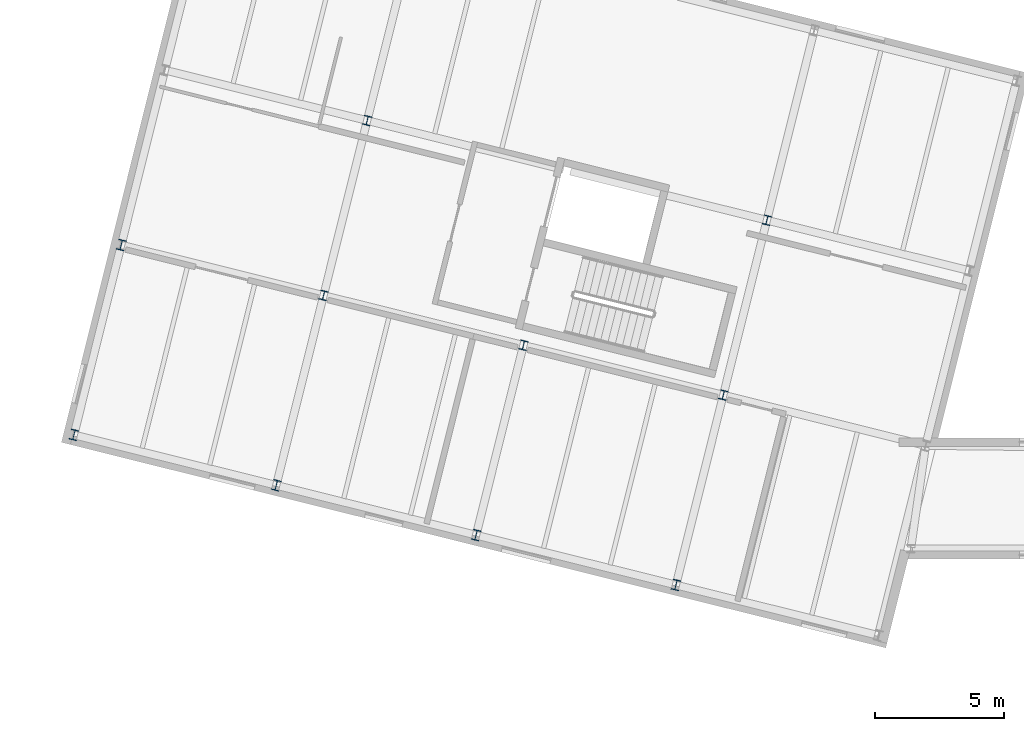
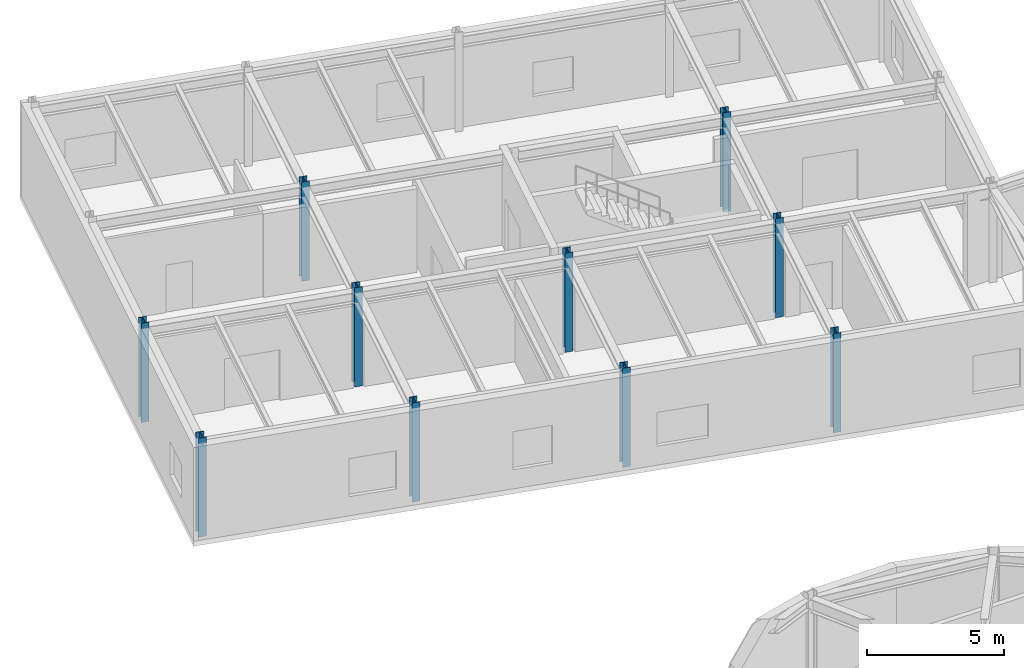
# One storey, part 9 of 103: 10 columns.
"""IFC4 building model written with IfcOpenShell, lengths in metres."""

from ifc_helpers import new_model, si_unit, direction, frame, origin, origin_2d, place, context, subcontext, project, spatial, i_section, extrude, material, material_profile, profile_set, type_object, element, save


model = new_model("IFC4")

# Units and contexts
model_context = context("Model", 3, precision=1e-05, world=origin(), true_north=direction((0.0, 1.0)))
body_context = subcontext(model_context, "Body", "Model", "MODEL_VIEW")
ifc_project = project(units=[si_unit("LENGTHUNIT", "METRE"), si_unit("AREAUNIT", "SQUARE_METRE"), si_unit("VOLUMEUNIT", "CUBIC_METRE"), si_unit("PLANEANGLEUNIT", "RADIAN"), si_unit("MASSUNIT", "GRAM", prefix="KILO")], contexts=[model_context])

# Site, building, storey
site_placement = place(None, origin())
site = spatial("IfcSite", under=ifc_project, at=site_placement, CompositionType="ELEMENT")
building_placement = place(site_placement, origin())
building = spatial("IfcBuilding", under=site, at=building_placement, Name="Varnklinge Art Gallery", CompositionType="ELEMENT")
storey_placement = place(building_placement, frame((0.0, 0.0, 5.10009765625)))
storey = spatial("IfcBuildingStorey", under=building, at=storey_placement, Name="L01", CompositionType="ELEMENT", Elevation=5.10009765625)

# Columns
ifc_material_1 = material(Name="Steel S355", Category="steel")
ifc_material_profile_1 = material_profile(ifc_material_1, i_section(OverallWidth=0.300048828125, OverallDepth=0.360107421875, WebThickness=0.012451171875, FlangeThickness=0.0224609375, FilletRadius=0.027099609375, at=origin_2d()), Name="HEB 360")
ifc_profile_set_1 = profile_set([ifc_material_profile_1], Name="Steel S355")
column_type_1 = type_object("IfcColumnType", Name="COL-08", PredefinedType="COLUMN", material=ifc_profile_set_1)
for number, where, z_axis, x_axis, name in (
    (1, (15.390869140625, 91.039306640625, 0.0), (0.0, 0.0, 1.0), (0.970295726276, -0.2419218956, 0.0), "L01 Column V5C-2-2"),
    (2, (17.08447265625, 97.831298828125, 0.0), (0.0, 0.0, 1.0), (0.970295726276, -0.2419218956, 0.0), "L01 Column V5C-2-3"),
    (3, (23.1533203125, 89.10400390625, 0.0), (0.0, 0.0, 1.0), (0.970295726276, -0.2419218956, 0.0), "L01 Column V5C-3-2"),
    (4, (30.91552734375, 87.168701171875, 0.0), (0.0, 0.0, 1.0), (0.970295726276, -0.2419218956, 0.0), "L01 Column V5C-4-2"),
    (5, (32.609130859375, 93.960693359375, 0.0), (0.0, 0.0, 1.0), (0.970295726276, -0.2419218956, 0.0), "L01 Column V5C-4-3"),
):
    element("IfcColumn", number, at=place(storey_placement, frame(where, z_axis=z_axis, x_axis=x_axis)), inside=storey, type_object=column_type_1, Name=name, PredefinedType="COLUMN", context=body_context, shape_type="SweptSolid", body=[
        extrude(i_section(OverallWidth=0.300048828125, OverallDepth=0.360107421875, WebThickness=0.012451171875, FlangeThickness=0.0224609375, FilletRadius=0.027099609375, at=origin_2d()), origin(), (0.0, 0.0, 1.0), 4.419921875),
    ])
ifc_material_2 = material(Name="Steel S355", Category="steel")
ifc_material_profile_2 = material_profile(ifc_material_2, i_section(OverallWidth=0.300048828125, OverallDepth=0.39990234375, WebThickness=0.013427734375, FlangeThickness=0.02392578125, FilletRadius=0.027099609375, at=origin_2d()), Name="HEB 400")
ifc_profile_set_2 = profile_set([ifc_material_profile_2], Name="Steel S355")
column_type_2 = type_object("IfcColumnType", Name="COL-E3", PredefinedType="COLUMN", material=ifc_profile_set_2)
for number, where, z_axis, x_axis, name in (
    (6, (5.69287109375, 85.624755859375, 0.0), (0.0, 0.0, 1.0), (0.970295726276, -0.2419218956, 0.0), "L01 Column V5C-1-1"),
    (7, (7.531494140625, 92.998779296875, 0.0), (0.0, 0.0, 1.0), (0.970295726276, -0.2419218956, 0.0), "L01 Column V5C-1-2"),
    (8, (13.55224609375, 83.6650390625, 0.0), (0.0, 0.0, 1.0), (0.970295726276, -0.2419218956, 0.0), "L01 Column V5C-2-1"),
    (9, (21.314697265625, 81.729736328125, 0.0), (0.0, 0.0, 1.0), (0.970295726276, -0.2419218956, 0.0), "L01 Column V5C-3-1"),
    (10, (29.076904296875, 79.794189453125, 0.0), (0.0, 0.0, 1.0), (0.970295726276, -0.2419218956, 0.0), "L01 Column V5C-4-1"),
):
    element("IfcColumn", number, at=place(storey_placement, frame(where, z_axis=z_axis, x_axis=x_axis)), inside=storey, type_object=column_type_2, Name=name, PredefinedType="COLUMN", context=body_context, shape_type="SweptSolid", body=[
        extrude(i_section(OverallWidth=0.300048828125, OverallDepth=0.39990234375, WebThickness=0.013427734375, FlangeThickness=0.02392578125, FilletRadius=0.027099609375, at=origin_2d()), origin(), (0.0, 0.0, 1.0), 4.419921875),
    ])

save(model, "model.ifc")
